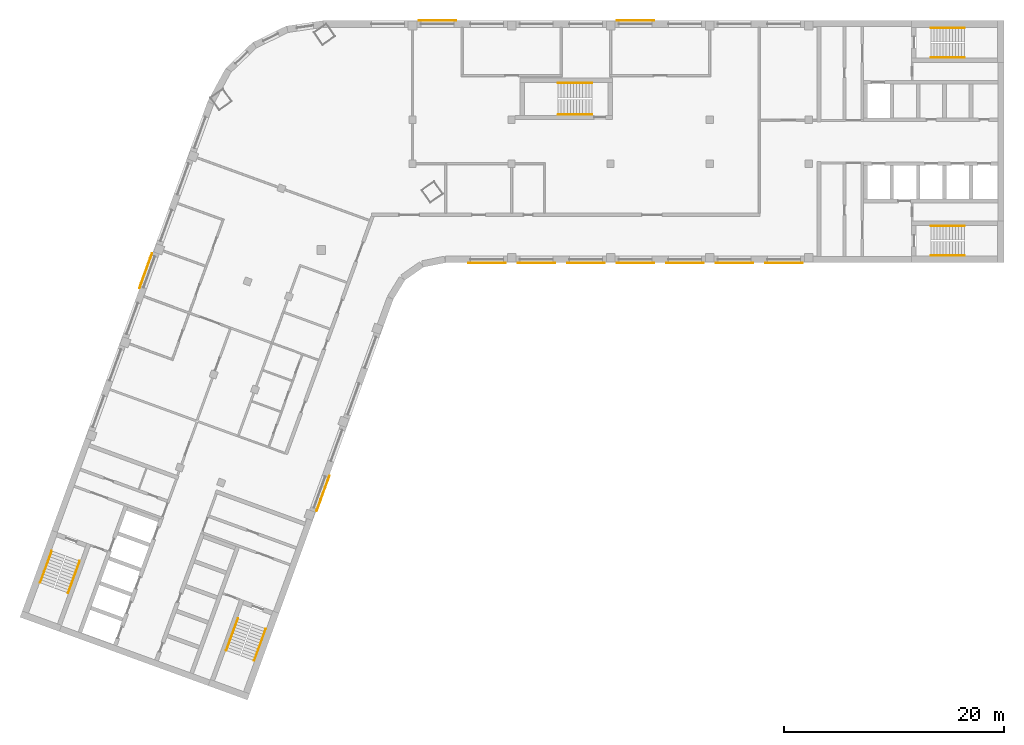
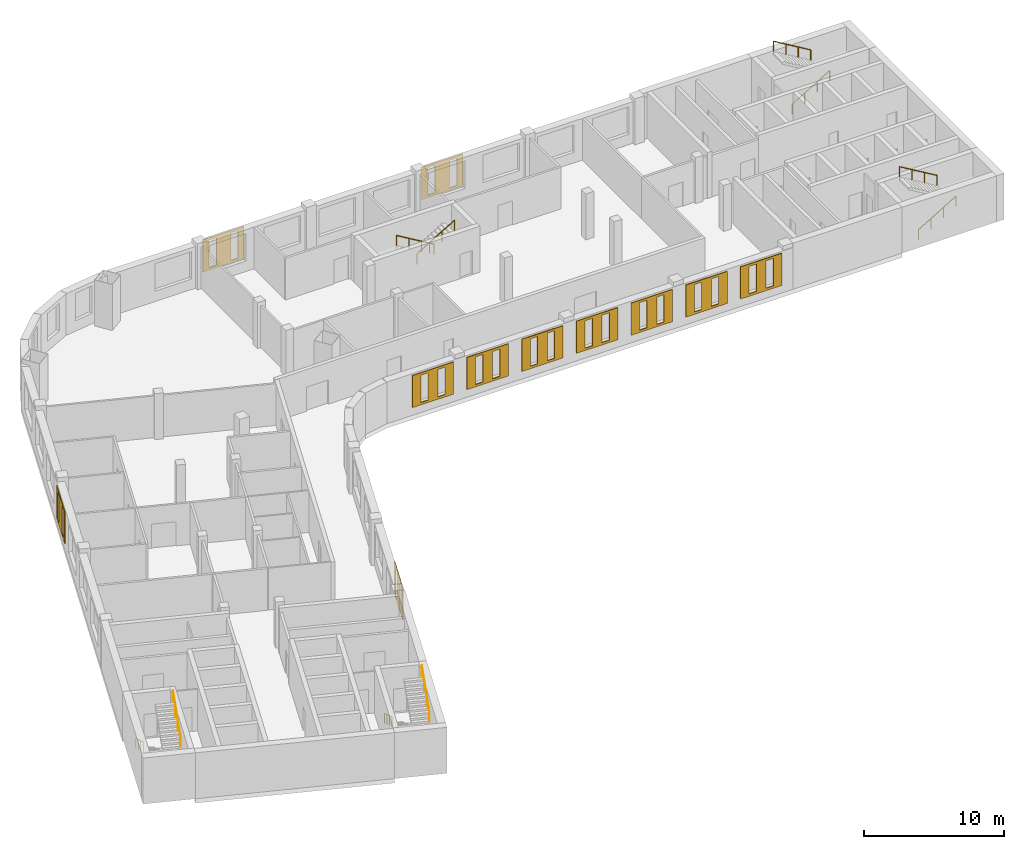
# One storey, part 8 of 8: 11 coverings, 10 railings.
"""IFC4 building model written with IfcOpenShell, lengths in metres."""

from ifc_helpers import new_model, si_unit, direction, frame, origin, origin_2d, place, context, subcontext, project, spatial, polyline, circle, outline, extrude, material, material_profile, profile_set, type_object, element, save


model = new_model("IFC4")

# Units and contexts
model_context = context("Model", 3, precision=1e-05, world=origin(), true_north=direction((0.0, 1.0)))
body_context = subcontext(model_context, "Body", "Model", "MODEL_VIEW")
ifc_project = project(units=[si_unit("LENGTHUNIT", "METRE"), si_unit("AREAUNIT", "SQUARE_METRE"), si_unit("VOLUMEUNIT", "CUBIC_METRE"), si_unit("PLANEANGLEUNIT", "RADIAN"), si_unit("MASSUNIT", "GRAM", prefix="KILO")], contexts=[model_context])

# Site, building, storey
site_placement = place(None, origin())
site = spatial("IfcSite", under=ifc_project, at=site_placement, CompositionType="ELEMENT")
building_placement = place(site_placement, origin())
building = spatial("IfcBuilding", under=site, at=building_placement, Name="Skarvind Civic Tower", CompositionType="ELEMENT")
storey_placement = place(building_placement, frame((0.0, 0.0, 150.5)))
storey = spatial("IfcBuildingStorey", under=building, at=storey_placement, Name="L35", CompositionType="ELEMENT", Elevation=150.5)

# Railings
ifc_material_1 = material(Name="Painted steel handrail", Category="steel")
railing_type = type_object("IfcRailingType", Name="Stair handrail 900", PredefinedType="HANDRAIL", material=ifc_material_1)
railing_1_placement = place(storey_placement, frame((101.35009765625, 135.64990234375, 0.166748046875)))
element("IfcRailing", 1, at=railing_1_placement, inside=storey, type_object=railing_type, Name="Stair handrail", PredefinedType="HANDRAIL", context=body_context, shape_type="SweptSolid", body=[
    extrude(circle(Radius=0.02392578125, at=origin_2d()), frame((0.0, 0.0, 0.8759765625), z_axis=(0.859290745958, 0.0, 0.51148745235), x_axis=(0.0, 1.0, 0.0)), (0.0, 0.0, 1.0), 3.584228515625),
    extrude(circle(Radius=0.02099609375, at=origin_2d()), origin(), (0.0, 0.0, 1.0), 0.851806640625),
    extrude(circle(Radius=0.02099609375, at=origin_2d()), frame((1.026611328125, 0.0, 0.611083984375)), (0.0, 0.0, 1.0), 0.851806640625),
    extrude(circle(Radius=0.02099609375, at=origin_2d()), frame((2.05322265625, 0.0, 1.22216796875)), (0.0, 0.0, 1.0), 0.851806640625),
    extrude(circle(Radius=0.02099609375, at=origin_2d()), frame((3.079833984375, 0.0, 1.833251953125)), (0.0, 0.0, 1.0), 0.851806640625),
])
railing_2_placement = place(storey_placement, frame((104.429931640625, 138.35009765625, 2.166748046875)))
element("IfcRailing", 2, at=railing_2_placement, inside=storey, type_object=railing_type, Name="Stair handrail", PredefinedType="HANDRAIL", context=body_context, shape_type="SweptSolid", body=[
    extrude(circle(Radius=0.02392578125, at=origin_2d()), frame((0.0, 0.0, 0.8759765625), z_axis=(-0.859290745958, 0.0, 0.51148745235), x_axis=(0.0, -1.0, 0.0)), (0.0, 0.0, 1.0), 3.584228515625),
    extrude(circle(Radius=0.02099609375, at=origin_2d()), origin(), (0.0, 0.0, 1.0), 0.851806640625),
    extrude(circle(Radius=0.02099609375, at=origin_2d()), frame((-1.026611328125, 0.0, 0.611083984375)), (0.0, 0.0, 1.0), 0.851806640625),
    extrude(circle(Radius=0.02099609375, at=origin_2d()), frame((-2.05322265625, 0.0, 1.22216796875)), (0.0, 0.0, 1.0), 0.851806640625),
    extrude(circle(Radius=0.02099609375, at=origin_2d()), frame((-3.079833984375, 0.0, 1.833251953125)), (0.0, 0.0, 1.0), 0.851806640625),
])
railing_3_placement = place(storey_placement, frame((101.35009765625, 117.64990234375, 0.166748046875)))
element("IfcRailing", 3, at=railing_3_placement, inside=storey, type_object=railing_type, Name="Stair handrail", PredefinedType="HANDRAIL", context=body_context, shape_type="SweptSolid", body=[
    extrude(circle(Radius=0.02392578125, at=origin_2d()), frame((0.0, 0.0, 0.8759765625), z_axis=(0.859290745958, 0.0, 0.51148745235), x_axis=(0.0, 1.0, 0.0)), (0.0, 0.0, 1.0), 3.584228515625),
    extrude(circle(Radius=0.02099609375, at=origin_2d()), origin(), (0.0, 0.0, 1.0), 0.851806640625),
    extrude(circle(Radius=0.02099609375, at=origin_2d()), frame((1.026611328125, 0.0, 0.611083984375)), (0.0, 0.0, 1.0), 0.851806640625),
    extrude(circle(Radius=0.02099609375, at=origin_2d()), frame((2.05322265625, 0.0, 1.22216796875)), (0.0, 0.0, 1.0), 0.851806640625),
    extrude(circle(Radius=0.02099609375, at=origin_2d()), frame((3.079833984375, 0.0, 1.833251953125)), (0.0, 0.0, 1.0), 0.851806640625),
])
railing_4_placement = place(storey_placement, frame((104.429931640625, 120.35009765625, 2.166748046875)))
element("IfcRailing", 4, at=railing_4_placement, inside=storey, type_object=railing_type, Name="Stair handrail", PredefinedType="HANDRAIL", context=body_context, shape_type="SweptSolid", body=[
    extrude(circle(Radius=0.02392578125, at=origin_2d()), frame((0.0, 0.0, 0.8759765625), z_axis=(-0.859290745958, 0.0, 0.51148745235), x_axis=(0.0, -1.0, 0.0)), (0.0, 0.0, 1.0), 3.584228515625),
    extrude(circle(Radius=0.02099609375, at=origin_2d()), origin(), (0.0, 0.0, 1.0), 0.851806640625),
    extrude(circle(Radius=0.02099609375, at=origin_2d()), frame((-1.026611328125, 0.0, 0.611083984375)), (0.0, 0.0, 1.0), 0.851806640625),
    extrude(circle(Radius=0.02099609375, at=origin_2d()), frame((-2.05322265625, 0.0, 1.22216796875)), (0.0, 0.0, 1.0), 0.851806640625),
    extrude(circle(Radius=0.02099609375, at=origin_2d()), frame((-3.079833984375, 0.0, 1.833251953125)), (0.0, 0.0, 1.0), 0.851806640625),
])
railing_5_placement = place(storey_placement, frame((38.362060546875, 84.64794921875, 0.166748046875)))
element("IfcRailing", 5, at=railing_5_placement, inside=storey, type_object=railing_type, Name="Stair handrail", PredefinedType="HANDRAIL", context=body_context, shape_type="SweptSolid", body=[
    extrude(circle(Radius=0.02392578125, at=origin_2d()), frame((0.0, 0.0, 0.8759765625), z_axis=(-0.293908055923, -0.807480881337, 0.511461319103), x_axis=(0.939689235759, -0.342029443467, 0.0)), (0.0, 0.0, 1.0), 3.584228515625),
    extrude(circle(Radius=0.02099609375, at=origin_2d()), origin(), (0.0, 0.0, 1.0), 0.851806640625),
    extrude(circle(Radius=0.02099609375, at=origin_2d()), frame((-0.35107421875, -0.96484375, 0.611083984375)), (0.0, 0.0, 1.0), 0.851806640625),
    extrude(circle(Radius=0.02099609375, at=origin_2d()), frame((-0.702392578125, -1.929443359375, 1.22216796875)), (0.0, 0.0, 1.0), 0.851806640625),
    extrude(circle(Radius=0.02099609375, at=origin_2d()), frame((-1.053466796875, -2.894287109375, 1.833251953125)), (0.0, 0.0, 1.0), 0.851806640625),
])
railing_6_placement = place(storey_placement, frame((39.845703125, 80.830078125, 2.166748046875)))
element("IfcRailing", 6, at=railing_6_placement, inside=storey, type_object=railing_type, Name="Stair handrail", PredefinedType="HANDRAIL", context=body_context, shape_type="SweptSolid", body=[
    extrude(circle(Radius=0.02392578125, at=origin_2d()), frame((0.0, 0.0, 0.8759765625), z_axis=(0.293908055923, 0.807480881337, 0.511461319103), x_axis=(-0.939689235759, 0.342029443467, 0.0)), (0.0, 0.0, 1.0), 3.584228515625),
    extrude(circle(Radius=0.02099609375, at=origin_2d()), origin(), (0.0, 0.0, 1.0), 0.851806640625),
    extrude(circle(Radius=0.02099609375, at=origin_2d()), frame((0.35107421875, 0.96484375, 0.611083984375)), (0.0, 0.0, 1.0), 0.851806640625),
    extrude(circle(Radius=0.02099609375, at=origin_2d()), frame((0.702392578125, 1.929443359375, 1.22216796875)), (0.0, 0.0, 1.0), 0.851806640625),
    extrude(circle(Radius=0.02099609375, at=origin_2d()), frame((1.053466796875, 2.894287109375, 1.833251953125)), (0.0, 0.0, 1.0), 0.851806640625),
])
railing_7_placement = place(storey_placement, frame((21.447509765625, 90.80419921875, 0.166748046875)))
element("IfcRailing", 7, at=railing_7_placement, inside=storey, type_object=railing_type, Name="Stair handrail", PredefinedType="HANDRAIL", context=body_context, shape_type="SweptSolid", body=[
    extrude(circle(Radius=0.02392578125, at=origin_2d()), frame((0.0, 0.0, 0.8759765625), z_axis=(-0.293845824691, -0.807497044902, 0.511471557163), x_axis=(0.939714709796, -0.34195944817, 0.0)), (0.0, 0.0, 1.0), 3.584228515625),
    extrude(circle(Radius=0.02099609375, at=origin_2d()), origin(), (0.0, 0.0, 1.0), 0.851806640625),
    extrude(circle(Radius=0.02099609375, at=origin_2d()), frame((-0.35107421875, -0.96484375, 0.611083984375)), (0.0, 0.0, 1.0), 0.851806640625),
    extrude(circle(Radius=0.02099609375, at=origin_2d()), frame((-0.7021484375, -1.929443359375, 1.22216796875)), (0.0, 0.0, 1.0), 0.851806640625),
    extrude(circle(Radius=0.02099609375, at=origin_2d()), frame((-1.05322265625, -2.894287109375, 1.833251953125)), (0.0, 0.0, 1.0), 0.851806640625),
])
railing_8_placement = place(storey_placement, frame((22.931396484375, 86.986572265625, 2.166748046875)))
element("IfcRailing", 8, at=railing_8_placement, inside=storey, type_object=railing_type, Name="Stair handrail", PredefinedType="HANDRAIL", context=body_context, shape_type="SweptSolid", body=[
    extrude(circle(Radius=0.02392578125, at=origin_2d()), frame((0.0, 0.0, 0.8759765625), z_axis=(0.293908055923, 0.807480881337, 0.511461319103), x_axis=(-0.939689235759, 0.342029443467, 0.0)), (0.0, 0.0, 1.0), 3.584228515625),
    extrude(circle(Radius=0.02099609375, at=origin_2d()), origin(), (0.0, 0.0, 1.0), 0.851806640625),
    extrude(circle(Radius=0.02099609375, at=origin_2d()), frame((0.35107421875, 0.96484375, 0.611083984375)), (0.0, 0.0, 1.0), 0.851806640625),
    extrude(circle(Radius=0.02099609375, at=origin_2d()), frame((0.702392578125, 1.929443359375, 1.22216796875)), (0.0, 0.0, 1.0), 0.851806640625),
    extrude(circle(Radius=0.02099609375, at=origin_2d()), frame((1.053466796875, 2.894287109375, 1.833251953125)), (0.0, 0.0, 1.0), 0.851806640625),
])
railing_9_placement = place(storey_placement, frame((70.550048828125, 133.35009765625, 0.166748046875)))
element("IfcRailing", 9, at=railing_9_placement, inside=storey, type_object=railing_type, Name="Stair handrail", PredefinedType="HANDRAIL", context=body_context, shape_type="SweptSolid", body=[
    extrude(circle(Radius=0.02392578125, at=origin_2d()), frame((0.0, 0.0, 0.8759765625), z_axis=(-0.859308565015, 0.0, 0.511457515432), x_axis=(0.0, -1.0, 0.0)), (0.0, 0.0, 1.0), 3.58447265625),
    extrude(circle(Radius=0.02099609375, at=origin_2d()), origin(), (0.0, 0.0, 1.0), 0.851806640625),
    extrude(circle(Radius=0.02099609375, at=origin_2d()), frame((-1.026611328125, 0.0, 0.611083984375)), (0.0, 0.0, 1.0), 0.851806640625),
    extrude(circle(Radius=0.02099609375, at=origin_2d()), frame((-2.053466796875, 0.0, 1.22216796875)), (0.0, 0.0, 1.0), 0.851806640625),
    extrude(circle(Radius=0.02099609375, at=origin_2d()), frame((-3.080078125, 0.0, 1.833251953125)), (0.0, 0.0, 1.0), 0.851806640625),
])
railing_10_placement = place(storey_placement, frame((67.469970703125, 130.449951171875, 2.166748046875)))
element("IfcRailing", 10, at=railing_10_placement, inside=storey, type_object=railing_type, Name="Stair handrail", PredefinedType="HANDRAIL", context=body_context, shape_type="SweptSolid", body=[
    extrude(circle(Radius=0.02392578125, at=origin_2d()), frame((0.0, 0.0, 0.8759765625), z_axis=(0.859308565015, 0.0, 0.511457515432), x_axis=(0.0, 1.0, 0.0)), (0.0, 0.0, 1.0), 3.58447265625),
    extrude(circle(Radius=0.02099609375, at=origin_2d()), origin(), (0.0, 0.0, 1.0), 0.851806640625),
    extrude(circle(Radius=0.02099609375, at=origin_2d()), frame((1.026611328125, 0.0, 0.611083984375)), (0.0, 0.0, 1.0), 0.851806640625),
    extrude(circle(Radius=0.02099609375, at=origin_2d()), frame((2.053466796875, 0.0, 1.22216796875)), (0.0, 0.0, 1.0), 0.851806640625),
    extrude(circle(Radius=0.02099609375, at=origin_2d()), frame((3.080078125, 0.0, 1.833251953125)), (0.0, 0.0, 1.0), 0.851806640625),
])

# Coverings
ifc_material_2 = material(Name="Terracotta", Category="masonry")
ifc_material_profile_1 = material_profile(ifc_material_2, outline(polyline([(-1.699951171875, -1.39990234375), (1.699951171875, -1.39990234375), (1.699951171875, 1.39990234375), (-1.699951171875, 1.39990234375), (-1.699951171875, -1.39990234375)]), holes=[polyline([(-1.0, -1.18994140625), (-0.39990234375, -1.18994140625), (-0.39990234375, 1.18994140625), (-1.0, 1.18994140625), (-1.0, -1.18994140625)]), polyline([(0.39990234375, -1.18994140625), (1.0, -1.18994140625), (1.0, 1.18994140625), (0.39990234375, 1.18994140625), (0.39990234375, -1.18994140625)])]), Name="TERRACOTTA SCREEN 3400 x 2800, SLIT PITCH 1400")
ifc_profile_set_1 = profile_set([ifc_material_profile_1], Name="Terracotta")
covering_type_1 = type_object("IfcCoveringType", Name="TERRACOTTA SCREEN 3400 x 2800, SLIT PITCH 1400", PredefinedType="CLADDING", material=ifc_profile_set_1)
for number, where, z_axis, x_axis, name in (
    (11, (88.0, 117.0, 2.10009765625), (0.0, -1.0, 0.0), (1.0, 0.0, 0.0), "TERRACOTTA SCREEN"),
    (12, (83.5, 117.0, 2.10009765625), (0.0, -1.0, 0.0), (1.0, 0.0, 0.0), "TERRACOTTA SCREEN"),
    (13, (79.0, 117.0, 2.10009765625), (0.0, -1.0, 0.0), (1.0, 0.0, 0.0), "TERRACOTTA SCREEN"),
    (14, (74.5, 117.0, 2.10009765625), (0.0, -1.0, 0.0), (1.0, 0.0, 0.0), "TERRACOTTA SCREEN"),
    (15, (70.0, 117.0, 2.10009765625), (0.0, -1.0, 0.0), (1.0, 0.0, 0.0), "TERRACOTTA SCREEN"),
    (16, (65.5, 117.0, 2.10009765625), (0.0, -1.0, 0.0), (1.0, 0.0, 0.0), "TERRACOTTA SCREEN"),
    (17, (61.0, 117.0, 2.10009765625), (0.0, -1.0, 0.0), (1.0, 0.0, 0.0), "TERRACOTTA SCREEN"),
):
    element("IfcCovering", number, at=place(storey_placement, frame(where, z_axis=z_axis, x_axis=x_axis)), inside=storey, type_object=covering_type_1, Name=name, PredefinedType="CLADDING", context=body_context, shape_type="SweptSolid", body=[
        extrude(outline(polyline([(-1.699951171875, -1.39990234375), (1.699951171875, -1.39990234375), (1.699951171875, 1.39990234375), (-1.699951171875, 1.39990234375), (-1.699951171875, -1.39990234375)]), holes=[polyline([(-1.0, -1.18994140625), (-0.39990234375, -1.18994140625), (-0.39990234375, 1.18994140625), (-1.0, 1.18994140625), (-1.0, -1.18994140625)]), polyline([(0.39990234375, -1.18994140625), (1.0, -1.18994140625), (1.0, 1.18994140625), (0.39990234375, 1.18994140625), (0.39990234375, -1.18994140625)])]), origin(), (0.0, 0.0, 1.0), 0.06005859375),
    ])
ifc_material_profile_2 = material_profile(ifc_material_2, outline(polyline([(-1.699951171875, -1.39990234375), (1.699951171875, -1.39990234375), (1.699951171875, 1.39990234375), (-1.699951171875, 1.39990234375), (-1.699951171875, -1.39990234375)]), holes=[polyline([(-1.199951171875, -1.18994140625), (-0.60009765625, -1.18994140625), (-0.60009765625, 1.18994140625), (-1.199951171875, 1.18994140625), (-1.199951171875, -1.18994140625)]), polyline([(0.60009765625, -1.18994140625), (1.199951171875, -1.18994140625), (1.199951171875, 1.18994140625), (0.60009765625, 1.18994140625), (0.60009765625, -1.18994140625)])]), Name="TERRACOTTA SCREEN 3400 x 2800, SLIT PITCH 1800")
ifc_profile_set_2 = profile_set([ifc_material_profile_2], Name="Terracotta")
covering_type_2 = type_object("IfcCoveringType", Name="TERRACOTTA SCREEN 3400 x 2800, SLIT PITCH 1800", PredefinedType="CLADDING", material=ifc_profile_set_2)
for number, where, z_axis, x_axis, name in (
    (18, (46.075927734375, 96.047119140625, 2.10009765625), (0.939793423488, -0.341743063087, 0.0), (0.341743063087, 0.939793423488, 0.0), "TERRACOTTA SCREEN"),
    (19, (56.5, 139.0, 2.10009765625), (0.0, 1.0, 0.0), (-1.0, 0.0, 0.0), "TERRACOTTA SCREEN"),
    (20, (74.5, 139.0, 2.10009765625), (0.0, 1.0, 0.0), (-1.0, 0.0, 0.0), "TERRACOTTA SCREEN"),
    (21, (30.02001953125, 116.25732421875, 2.10009765625), (-0.939793423488, 0.341743063087, 0.0), (-0.341743063087, -0.939793423488, 0.0), "TERRACOTTA SCREEN"),
):
    element("IfcCovering", number, at=place(storey_placement, frame(where, z_axis=z_axis, x_axis=x_axis)), inside=storey, type_object=covering_type_2, Name=name, PredefinedType="CLADDING", context=body_context, shape_type="SweptSolid", body=[
        extrude(outline(polyline([(-1.699951171875, -1.39990234375), (1.699951171875, -1.39990234375), (1.699951171875, 1.39990234375), (-1.699951171875, 1.39990234375), (-1.699951171875, -1.39990234375)]), holes=[polyline([(-1.199951171875, -1.18994140625), (-0.60009765625, -1.18994140625), (-0.60009765625, 1.18994140625), (-1.199951171875, 1.18994140625), (-1.199951171875, -1.18994140625)]), polyline([(0.60009765625, -1.18994140625), (1.199951171875, -1.18994140625), (1.199951171875, 1.18994140625), (0.60009765625, 1.18994140625), (0.60009765625, -1.18994140625)])]), origin(), (0.0, 0.0, 1.0), 0.06005859375),
    ])

save(model, "model.ifc")
